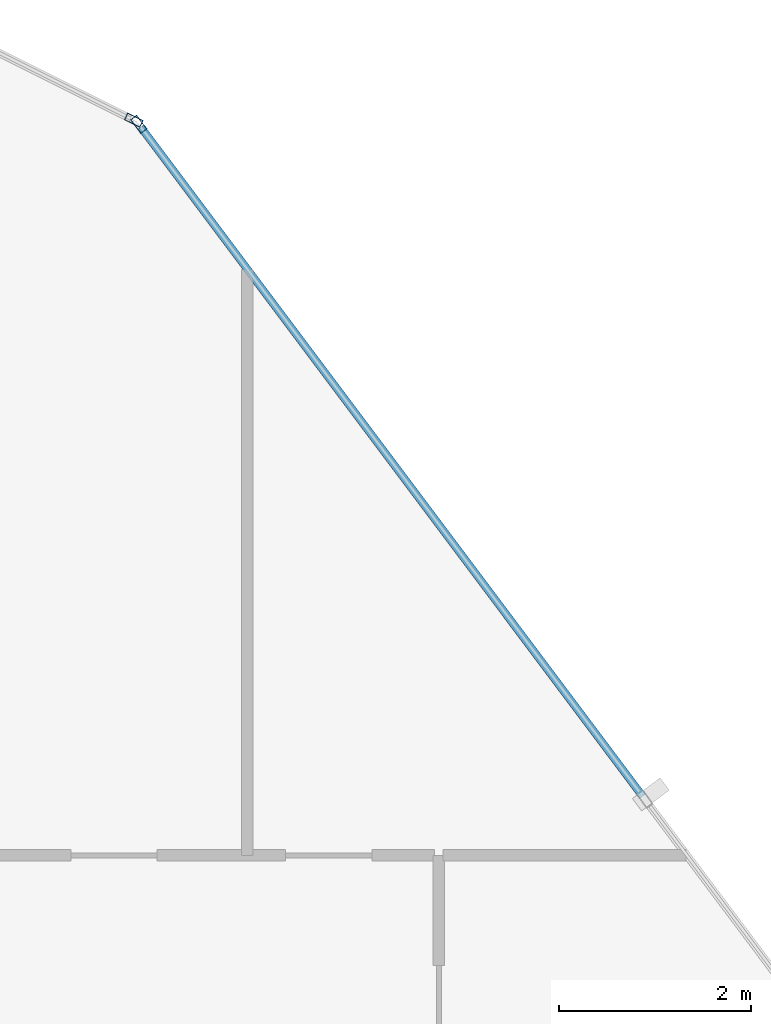
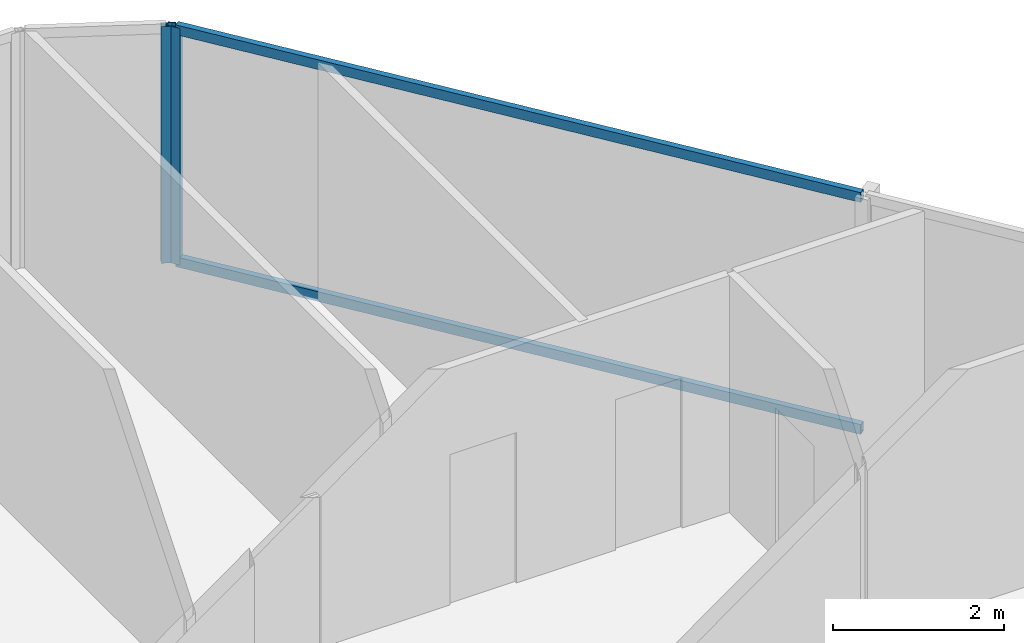
# One storey, part 22 of 31: 4 members, 2 elements without a shape of their own.
"""IFC4 building model written with IfcOpenShell, lengths in metres."""

from ifc_helpers import new_model, si_unit, direction, frame, origin, origin_2d, place, context, subcontext, project, spatial, hollow_rectangle, extrude, material, layer, layer_set, material_profile, profile_set, type_object, element, aggregate, save


model = new_model("IFC4")

# Units and contexts
model_context = context("Model", 3, precision=1e-05, world=origin(), true_north=direction((0.0, 1.0)))
body_context = subcontext(model_context, "Body", "Model", "MODEL_VIEW")
ifc_project = project(units=[si_unit("LENGTHUNIT", "METRE"), si_unit("AREAUNIT", "SQUARE_METRE"), si_unit("VOLUMEUNIT", "CUBIC_METRE"), si_unit("PLANEANGLEUNIT", "RADIAN"), si_unit("MASSUNIT", "GRAM", prefix="KILO")], contexts=[model_context])

# Site, building, storey
site_placement = place(None, origin())
site = spatial("IfcSite", under=ifc_project, at=site_placement, CompositionType="ELEMENT")
building_placement = place(site_placement, origin())
building = spatial("IfcBuilding", under=site, at=building_placement, Name="Keshet Zoharim Tower", CompositionType="ELEMENT")
storey_placement = place(building_placement, frame((0.0, 0.0, 140.89990234375)))
storey = spatial("IfcBuildingStorey", under=building, at=storey_placement, Name="L34", CompositionType="ELEMENT", Elevation=140.89990234375)

# Curtain wall, member
ifc_material = material(Name="Aluminium 6063-T6", Category="aluminium")
ifc_layer = layer(ifc_material, 0.159912109375)
ifc_layer_set = layer_set([ifc_layer], Name="Aluminium 6063-T6")
curtain_wall_type = type_object("IfcCurtainWallType", Name="CW-SYS-03", PredefinedType="NOTDEFINED", material=ifc_layer_set)
curtain_wall_1_placement = place(storey_placement, origin())
curtain_wall_1 = element("IfcCurtainWall", 1, at=curtain_wall_1_placement, inside=storey, type_object=curtain_wall_type, Name="L34 Unitised Curtain Wall 14", PredefinedType="NOTDEFINED")
ifc_material_profile_1 = material_profile(ifc_material, hollow_rectangle(XDim=0.080078125, YDim=0.179931640625, WallThickness=0.00439453125, at=origin_2d()), Name="MUL-80x180")
ifc_profile_set_1 = profile_set([ifc_material_profile_1], Name="Aluminium 6063-T6")
member_type_1 = type_object("IfcMemberType", Name="CWM-M18", PredefinedType="MULLION", material=ifc_profile_set_1)
member_1_placement = place(storey_placement, frame((51.568603515625, 53.11572265625, 0.0), z_axis=(0.0, 0.0, 1.0), x_axis=(0.447213595499, 0.894427191001, 0.0)))
member_1 = element("IfcMember", 2, at=member_1_placement, type_object=member_type_1, Name="CW-03 mullion 2", PredefinedType="MULLION", context=body_context, shape_type="SweptSolid", body=[
    extrude(hollow_rectangle(XDim=0.080078125, YDim=0.179931640625, WallThickness=0.00439453125, at=origin_2d()), origin(), (0.0, 0.0, 1.0), 3.385009765625),
])
aggregate(curtain_wall_1, [member_1])

# Curtain wall, members
curtain_wall_2_placement = place(storey_placement, origin())
curtain_wall_2 = element("IfcCurtainWall", 3, at=curtain_wall_2_placement, inside=storey, type_object=curtain_wall_type, Name="L34 Unitised Curtain Wall 15", PredefinedType="NOTDEFINED")
member_2_placement = place(storey_placement, frame((51.62109375, 53.072021484375, 0.0), z_axis=(0.0, 0.0, 1.0), x_axis=(0.799999999998, 0.600000000002, 0.0)))
member_2 = element("IfcMember", 4, at=member_2_placement, type_object=member_type_1, Name="CW-03 mullion 1", PredefinedType="MULLION", context=body_context, shape_type="SweptSolid", body=[
    extrude(hollow_rectangle(XDim=0.080078125, YDim=0.179931640625, WallThickness=0.00439453125, at=origin_2d()), origin(), (0.0, 0.0, 1.0), 3.385009765625),
])
ifc_material_profile_2 = material_profile(ifc_material, hollow_rectangle(XDim=0.080078125, YDim=0.139892578125, WallThickness=0.00390625, at=origin_2d()), Name="TRN-80x140")
ifc_profile_set_2 = profile_set([ifc_material_profile_2], Name="Aluminium 6063-T6")
member_type_2 = type_object("IfcMemberType", Name="CWT-T14", PredefinedType="USERDEFINED", material=ifc_profile_set_2)
member_3_placement = place(storey_placement, frame((51.64208984375, 53.0439453125, 0.03515625), z_axis=(0.599991043201, -0.800006717521, 0.0), x_axis=(0.800006717521, 0.599991043201, 0.0)))
member_3 = element("IfcMember", 5, at=member_3_placement, type_object=member_type_2, Name="CW-03 transom 1.1", ObjectType="TRANSOM", PredefinedType="USERDEFINED", context=body_context, shape_type="SweptSolid", body=[
    extrude(hollow_rectangle(XDim=0.080078125, YDim=0.139892578125, WallThickness=0.00390625, at=origin_2d()), origin(), (0.0, 0.0, 1.0), 8.722412109375),
])
member_4_placement = place(storey_placement, frame((51.64208984375, 53.0439453125, 3.35009765625), z_axis=(0.599991043201, -0.800006717521, 0.0), x_axis=(0.800006717521, 0.599991043201, 0.0)))
member_4 = element("IfcMember", 6, at=member_4_placement, type_object=member_type_2, Name="CW-03 transom 1.2", ObjectType="TRANSOM", PredefinedType="USERDEFINED", context=body_context, shape_type="SweptSolid", body=[
    extrude(hollow_rectangle(XDim=0.080078125, YDim=0.139892578125, WallThickness=0.00390625, at=origin_2d()), origin(), (0.0, 0.0, 1.0), 8.722412109375),
])
aggregate(curtain_wall_2, [member_2, member_3, member_4])

save(model, "model.ifc")
